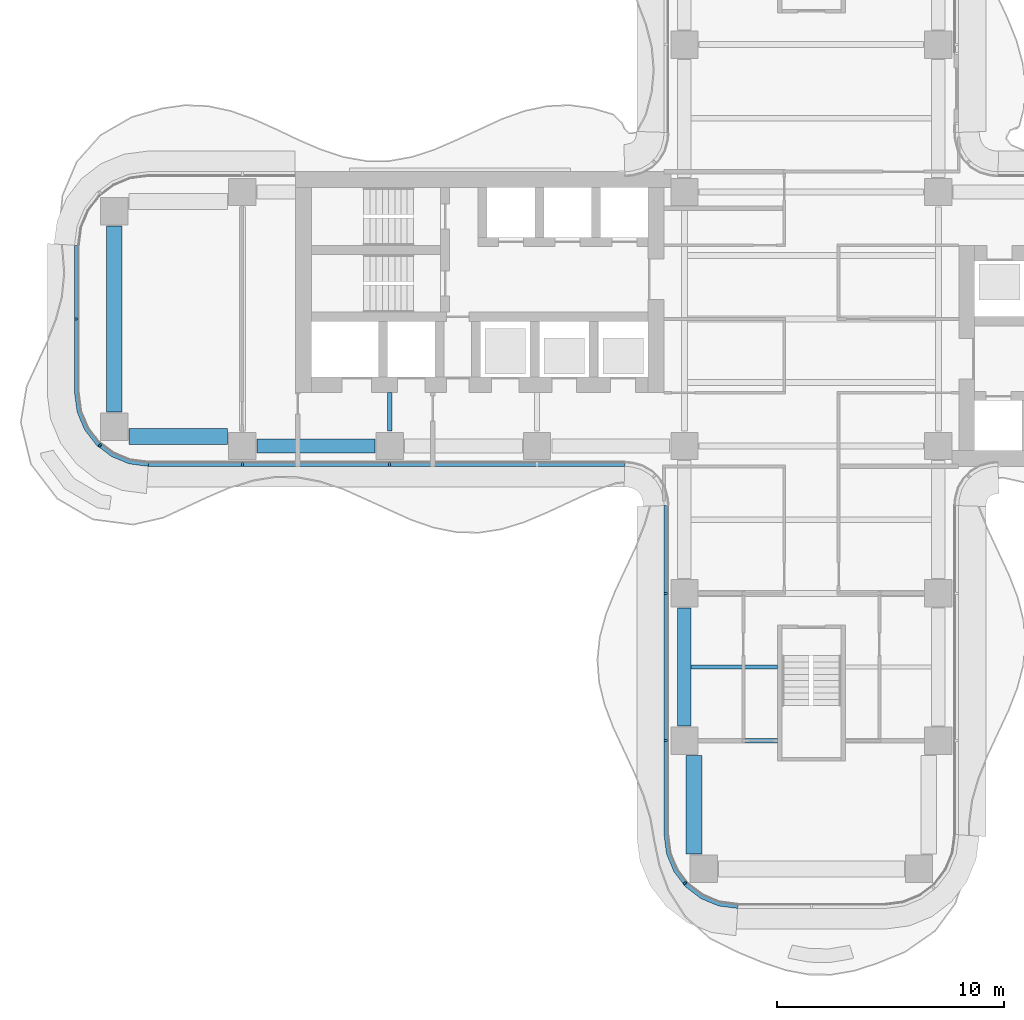
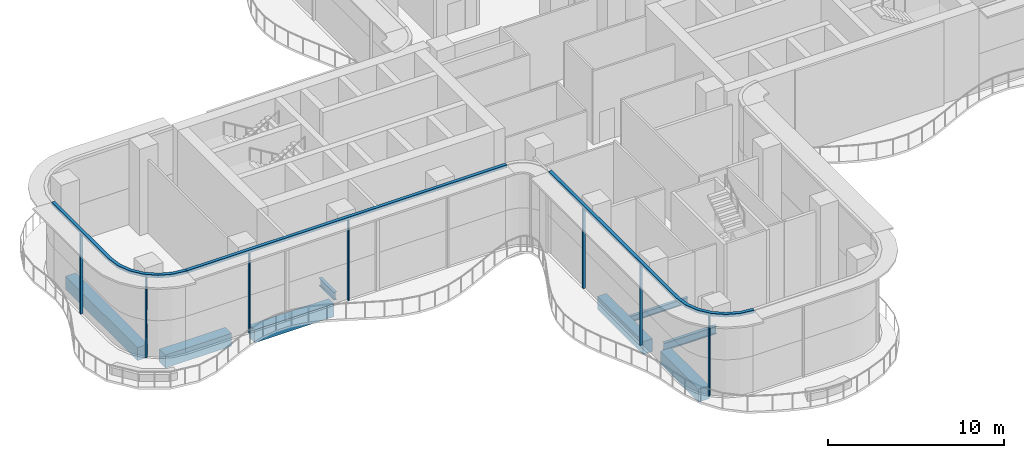
# One storey, part 2 of 19: 10 members, 8 beams, 3 elements without a shape of their own.
"""IFC4 building model written with IfcOpenShell, lengths in metres."""

from ifc_helpers import new_model, si_unit, direction, frame, origin, origin_2d, place, context, subcontext, project, spatial, polyline, rectangle, i_section, outline, extrude, source, transform, mapped, material, layer, layer_set, material_profile, profile_set, type_object, element, aggregate, save


model = new_model("IFC4")

# Units and contexts
model_context = context("Model", 3, precision=1e-05, world=origin(), true_north=direction((0.0, 1.0)))
body_context = subcontext(model_context, "Body", "Model", "MODEL_VIEW")
ifc_project = project(units=[si_unit("LENGTHUNIT", "METRE"), si_unit("AREAUNIT", "SQUARE_METRE"), si_unit("VOLUMEUNIT", "CUBIC_METRE"), si_unit("PLANEANGLEUNIT", "RADIAN"), si_unit("MASSUNIT", "GRAM", prefix="KILO")], contexts=[model_context])

# Site, building, storey
site_placement = place(None, origin())
site = spatial("IfcSite", under=ifc_project, at=site_placement, CompositionType="ELEMENT")
building_placement = place(site_placement, origin())
building = spatial("IfcBuilding", under=site, at=building_placement, Name="Trellis Farm Tower", CompositionType="ELEMENT")
storey_placement = place(building_placement, frame((0.0, 0.0, 156.0)))
storey = spatial("IfcBuildingStorey", under=building, at=storey_placement, Name="L33", CompositionType="ELEMENT", Elevation=156.0)

# Curtain wall, member
ifc_material_1 = material(Name="Aluminium and glass curtain wall", Category="aluminium")
ifc_layer_1 = layer(ifc_material_1, 0.196044921875)
ifc_layer_set_1 = layer_set([ifc_layer_1], Name="LOUVRED GLASS CURTAIN WALL CW6")
curtain_wall_type = type_object("IfcCurtainWallType", Name="LOUVRED GLASS CURTAIN WALL CW6", PredefinedType="NOTDEFINED", material=ifc_layer_set_1)
placement_1 = place(storey_placement, origin())
curtain_wall_1 = element("IfcCurtainWall", 1, at=placement_1, inside=storey, type_object=curtain_wall_type, Name="CW6 003", PredefinedType="NOTDEFINED")
ifc_material_2 = material(Name="Aluminium extrusion 6063-T6", Category="aluminium")
ifc_layer_2 = layer(ifc_material_2, 0.2099609375)
ifc_layer_set_2 = layer_set([ifc_layer_2], Name="Aluminium extrusion 6063-T6")
member_type_1 = type_object("IfcMemberType", Name="CW6 TRANSOM 210x200", PredefinedType="USERDEFINED", material=ifc_layer_set_2)
placement_2 = place(storey_placement, frame((0.0, 0.0, 5.60009765625)))
member_1 = element("IfcMember", 2, at=placement_2, type_object=member_type_1, Name="TR6 003", ObjectType="TRANSOM", PredefinedType="USERDEFINED", context=body_context, shape_type="SweptSolid", body=[
    extrude(outline(polyline([(-6.5, -8.2314453125), (-6.5, -22.75), (-6.38916015625, -23.591064453125), (-6.064697265625, -24.375), (-5.548095703125, -25.048095703125), (-4.875, -25.564697265625), (-4.091064453125, -25.88916015625), (-3.25, -26.0), (-3.236328125, -25.7900390625), (-4.036376953125, -25.6845703125), (-4.76904296875, -25.381103515625), (-5.3984375, -24.8984375), (-5.881103515625, -24.26904296875), (-6.1845703125, -23.536376953125), (-6.2900390625, -22.736328125), (-6.2900390625, -8.224609375), (-6.5, -8.2314453125)])), origin(), (0.0, 0.0, 1.0), 0.199951171875),
])

# Beams
ifc_material_3 = material(Name="Steel S355", Category="steel")
ifc_material_profile_1 = material_profile(ifc_material_3, i_section(OverallWidth=0.177978515625, OverallDepth=0.406494140625, WebThickness=0.0078125, FlangeThickness=0.0126953125, FilletRadius=0.01025390625, at=origin_2d()), Name="UB 406x178x60")
ifc_profile_set_1 = profile_set([ifc_material_profile_1], Name="Steel S355")
beam_type_1 = type_object("IfcBeamType", Name="UB 406x178x60 joist", PredefinedType="JOIST", material=ifc_profile_set_1)
shared_shape_1 = source(origin(), body_context, "Body", "SweptSolid", [
    extrude(i_section(OverallWidth=0.177978515625, OverallDepth=0.406494140625, WebThickness=0.0078125, FlangeThickness=0.0126953125, FilletRadius=0.01025390625, at=origin_2d()), origin(), (0.0, 0.0, 1.0), 3.800048828125),
])
beam_1_placement = place(storey_placement, frame((-5.300048828125, -15.35009765625, -0.55322265625), z_axis=(1.0, 0.0, 0.0), x_axis=(0.0, 1.0, 0.0)))
element("IfcBeam", 3, at=beam_1_placement, inside=storey, type_object=beam_type_1, Name="Floor beam", PredefinedType="JOIST", context=body_context, shape_type="MappedRepresentation", body=[
    mapped(shared_shape_1, transform((0.0, 0.0, 0.0))),
])
ifc_material_profile_2 = material_profile(ifc_material_3, i_section(OverallWidth=0.209228515625, OverallDepth=0.533203125, WebThickness=0.010009765625, FlangeThickness=0.015625, FilletRadius=0.0126953125, at=origin_2d()), Name="UB 533x210x92")
ifc_profile_set_2 = profile_set([ifc_material_profile_2], Name="Steel S355")
beam_type_2 = type_object("IfcBeamType", Name="UB 533x210x92", PredefinedType="BEAM", material=ifc_profile_set_2)
shared_shape_2 = source(origin(), body_context, "Body", "SweptSolid", [
    extrude(i_section(OverallWidth=0.209228515625, OverallDepth=0.533203125, WebThickness=0.010009765625, FlangeThickness=0.015625, FilletRadius=0.0126953125, at=origin_2d()), origin(), (0.0, 0.0, 1.0), 3.449951171875),
])
beam_2_placement = place(storey_placement, frame((-4.949951171875, -18.60009765625, -0.616455078125), z_axis=(1.0, 0.0, 0.0), x_axis=(0.0, 1.0, 0.0)))
element("IfcBeam", 4, at=beam_2_placement, inside=storey, type_object=beam_type_2, Name="Girder", PredefinedType="BEAM", context=body_context, shape_type="MappedRepresentation", body=[
    mapped(shared_shape_2, transform((0.0, 0.0, 0.0))),
])
shared_shape_3 = source(origin(), body_context, "Body", "SweptSolid", [
    extrude(i_section(OverallWidth=0.209228515625, OverallDepth=0.533203125, WebThickness=0.010009765625, FlangeThickness=0.015625, FilletRadius=0.0126953125, at=origin_2d()), origin(), (0.0, 0.0, 1.0), 1.699951171875),
])
beam_3_placement = place(storey_placement, frame((-18.60009765625, -4.949951171875, -0.616455078125), z_axis=(0.0, 1.0, 0.0), x_axis=(-1.0, 0.0, 0.0)))
element("IfcBeam", 5, at=beam_3_placement, inside=storey, type_object=beam_type_2, Name="Girder", PredefinedType="BEAM", context=body_context, shape_type="MappedRepresentation", body=[
    mapped(shared_shape_3, transform((0.0, 0.0, 0.0))),
])
ifc_material_4 = material(Name="Concrete C60/75", Category="concrete")
ifc_material_profile_3 = material_profile(ifc_material_4, rectangle(XDim=0.60009765625, YDim=0.89990234375, at=origin_2d()), Name="RC spandrel beam 600x900 C60/75")
ifc_profile_set_3 = profile_set([ifc_material_profile_3], Name="Concrete C60/75")
beam_type_3 = type_object("IfcBeamType", Name="RC spandrel beam 600x900 C60/75", PredefinedType="SPANDREL", material=ifc_profile_set_3)
shared_shape_4 = source(origin(), body_context, "Body", "SweptSolid", [
    extrude(rectangle(XDim=0.60009765625, YDim=0.89990234375, at=origin_2d()), origin(), (0.0, 0.0, 1.0), 5.199951171875),
])
for number, where, z_axis, x_axis, name in (
    (6, (-24.449951171875, -5.60009765625, -0.800048828125), (1.0, 0.0, 0.0), (0.0, 1.0, 0.0), "Girder"),
    (7, (-5.60009765625, -17.949951171875, -0.800048828125), (0.0, 1.0, 0.0), (-1.0, 0.0, 0.0), "Girder"),
):
    element("IfcBeam", number, at=place(storey_placement, frame(where, z_axis=z_axis, x_axis=x_axis)), inside=storey, type_object=beam_type_3, Name=name, PredefinedType="SPANDREL", context=body_context, shape_type="MappedRepresentation", body=[
        mapped(shared_shape_4, transform((0.0, 0.0, 0.0))),
    ])
ifc_material_profile_4 = material_profile(ifc_material_4, rectangle(XDim=0.699951171875, YDim=0.89990234375, at=origin_2d()), Name="RC spandrel beam 700x900 C60/75")
ifc_profile_set_4 = profile_set([ifc_material_profile_4], Name="Concrete C60/75")
beam_type_4 = type_object("IfcBeamType", Name="RC spandrel beam 700x900 C60/75", PredefinedType="SPANDREL", material=ifc_profile_set_4)
shared_shape_5 = source(origin(), body_context, "Body", "SweptSolid", [
    extrude(rectangle(XDim=0.699951171875, YDim=0.89990234375, at=origin_2d()), origin(), (0.0, 0.0, 1.0), 4.35009765625),
])
for number, where, z_axis, x_axis, name in (
    (8, (-30.10009765625, -5.175048828125, -0.800048828125), (1.0, 0.0, 0.0), (0.0, 1.0, 0.0), "Girder"),
    (9, (-5.175048828125, -23.60009765625, -0.800048828125), (0.0, 1.0, 0.0), (-1.0, 0.0, 0.0), "Girder"),
):
    element("IfcBeam", number, at=place(storey_placement, frame(where, z_axis=z_axis, x_axis=x_axis)), inside=storey, type_object=beam_type_4, Name=name, PredefinedType="SPANDREL", context=body_context, shape_type="MappedRepresentation", body=[
        mapped(shared_shape_5, transform((0.0, 0.0, 0.0))),
    ])
shared_shape_6 = source(origin(), body_context, "Body", "SweptSolid", [
    extrude(rectangle(XDim=0.699951171875, YDim=0.89990234375, at=origin_2d()), origin(), (0.0, 0.0, 1.0), 8.2001953125),
])
beam_4_placement = place(storey_placement, frame((-30.75, -4.10009765625, -0.800048828125), z_axis=(0.0, 1.0, 0.0), x_axis=(-1.0, 0.0, 0.0)))
element("IfcBeam", 10, at=beam_4_placement, inside=storey, type_object=beam_type_4, Name="Girder", PredefinedType="SPANDREL", context=body_context, shape_type="MappedRepresentation", body=[
    mapped(shared_shape_6, transform((0.0, 0.0, 0.0))),
])

# Curtain wall, members
curtain_wall_2 = element("IfcCurtainWall", 11, at=placement_1, inside=storey, type_object=curtain_wall_type, Name="CW6 001", PredefinedType="NOTDEFINED")
ifc_material_profile_5 = material_profile(ifc_material_2, rectangle(XDim=0.090087890625, YDim=0.159912109375, at=origin_2d()), Name="MULLION 90x160")
ifc_profile_set_5 = profile_set([ifc_material_profile_5], Name="Aluminium extrusion 6063-T6")
member_type_2 = type_object("IfcMemberType", Name="CW6 MULLION 90x160", PredefinedType="MULLION", material=ifc_profile_set_5)
shared_shape_7 = source(origin(), body_context, "Body", "SweptSolid", [
    extrude(rectangle(XDim=0.090087890625, YDim=0.159912109375, at=origin_2d()), origin(), (0.0, 0.0, 1.0), 5.60009765625),
])
member_2_placement = place(storey_placement, frame((-25.10009765625, -6.419921875, 0.0), z_axis=(0.0, 0.0, 1.0), x_axis=(1.0, 0.0, 0.0)))
member_2 = element("IfcMember", 12, at=member_2_placement, type_object=member_type_2, Name="MU6 001-01", PredefinedType="MULLION", context=body_context, shape_type="MappedRepresentation", body=[
    mapped(shared_shape_7, transform((0.0, 0.0, 0.0))),
])
member_3_placement = place(storey_placement, frame((-18.60009765625, -6.419921875, 0.0), z_axis=(0.0, 0.0, 1.0), x_axis=(1.0, 0.0, 0.0)))
member_3 = element("IfcMember", 13, at=member_3_placement, type_object=member_type_2, Name="MU6 001-02", PredefinedType="MULLION", context=body_context, shape_type="MappedRepresentation", body=[
    mapped(shared_shape_7, transform((0.0, 0.0, 0.0))),
])

# Member
member_4_placement = place(storey_placement, frame((-6.419921875, -12.10009765625, 0.0), z_axis=(0.0, 0.0, 1.0), x_axis=(0.0, -1.0, 0.0)))
member_4 = element("IfcMember", 14, at=member_4_placement, type_object=member_type_2, Name="MU6 003-01", PredefinedType="MULLION", context=body_context, shape_type="MappedRepresentation", body=[
    mapped(shared_shape_7, transform((0.0, 0.0, 0.0))),
])

member_5_placement = place(storey_placement, frame((-6.419921875, -18.60009765625, 0.0), z_axis=(0.0, 0.0, 1.0), x_axis=(0.0, -1.0, 0.0)))
member_5 = element("IfcMember", 15, at=member_5_placement, type_object=member_type_2, Name="MU6 003-02", PredefinedType="MULLION", context=body_context, shape_type="MappedRepresentation", body=[
    mapped(shared_shape_7, transform((0.0, 0.0, 0.0))),
])

member_6_placement = place(storey_placement, frame((-5.57421875, -24.882568359375, 0.0), z_axis=(0.0, 0.0, 1.0), x_axis=(0.608761429009, -0.793353340291, 0.0)))
member_6 = element("IfcMember", 16, at=member_6_placement, type_object=member_type_2, Name="MU6 003-03", PredefinedType="MULLION", context=body_context, shape_type="MappedRepresentation", body=[
    mapped(shared_shape_7, transform((0.0, 0.0, 0.0))),
])

aggregate(curtain_wall_1, [member_4, member_5, member_6, member_1])

# Curtain wall, members
curtain_wall_3 = element("IfcCurtainWall", 17, at=placement_1, inside=storey, type_object=curtain_wall_type, Name="CW6 017", PredefinedType="NOTDEFINED")
member_7_placement = place(storey_placement, frame((-32.419921875, 0.0, 0.0), z_axis=(0.0, 0.0, 1.0), x_axis=(0.0, -1.0, 0.0)))
member_7 = element("IfcMember", 18, at=member_7_placement, type_object=member_type_2, Name="MU6 017-01", PredefinedType="MULLION", context=body_context, shape_type="MappedRepresentation", body=[
    mapped(shared_shape_7, transform((0.0, 0.0, 0.0))),
])
member_8_placement = place(storey_placement, frame((-31.382568359375, -5.57421875, 0.0), z_axis=(0.0, 0.0, 1.0), x_axis=(0.793353340291, -0.608761429009, 0.0)))
member_8 = element("IfcMember", 19, at=member_8_placement, type_object=member_type_2, Name="MU6 017-02", PredefinedType="MULLION", context=body_context, shape_type="MappedRepresentation", body=[
    mapped(shared_shape_7, transform((0.0, 0.0, 0.0))),
])

# Member
shared_shape_8 = source(origin(), body_context, "Body", "SweptSolid", [
    extrude(outline(polyline([(-29.25, -6.5), (-8.2314453125, -6.5), (-8.224609375, -6.2900390625), (-29.236328125, -6.2900390625), (-29.25, -6.5)])), origin(), (0.0, 0.0, 1.0), 0.199951171875),
])
member_9 = element("IfcMember", 20, at=placement_2, type_object=member_type_1, Name="TR6 001", ObjectType="TRANSOM", PredefinedType="USERDEFINED", context=body_context, shape_type="MappedRepresentation", body=[
    mapped(shared_shape_8, transform((0.0, 0.0, 0.0))),
])

aggregate(curtain_wall_2, [member_2, member_3, member_9])

shared_shape_9 = source(origin(), body_context, "Body", "SweptSolid", [
    extrude(outline(polyline([(-32.5, 3.25), (-32.5, -3.25), (-32.38916015625, -4.091064453125), (-32.064697265625, -4.875), (-31.548095703125, -5.548095703125), (-30.875, -6.064697265625), (-30.091064453125, -6.38916015625), (-29.25, -6.5), (-29.236328125, -6.2900390625), (-30.036376953125, -6.1845703125), (-30.76904296875, -5.881103515625), (-31.3984375, -5.3984375), (-31.881103515625, -4.76904296875), (-32.1845703125, -4.036376953125), (-32.2900390625, -3.236328125), (-32.2900390625, 3.236328125), (-32.5, 3.25)])), origin(), (0.0, 0.0, 1.0), 0.199951171875),
])
member_10 = element("IfcMember", 21, at=placement_2, type_object=member_type_1, Name="TR6 017", ObjectType="TRANSOM", PredefinedType="USERDEFINED", context=body_context, shape_type="MappedRepresentation", body=[
    mapped(shared_shape_9, transform((0.0, 0.0, 0.0))),
])

aggregate(curtain_wall_3, [member_7, member_8, member_10])

save(model, "model.ifc")
